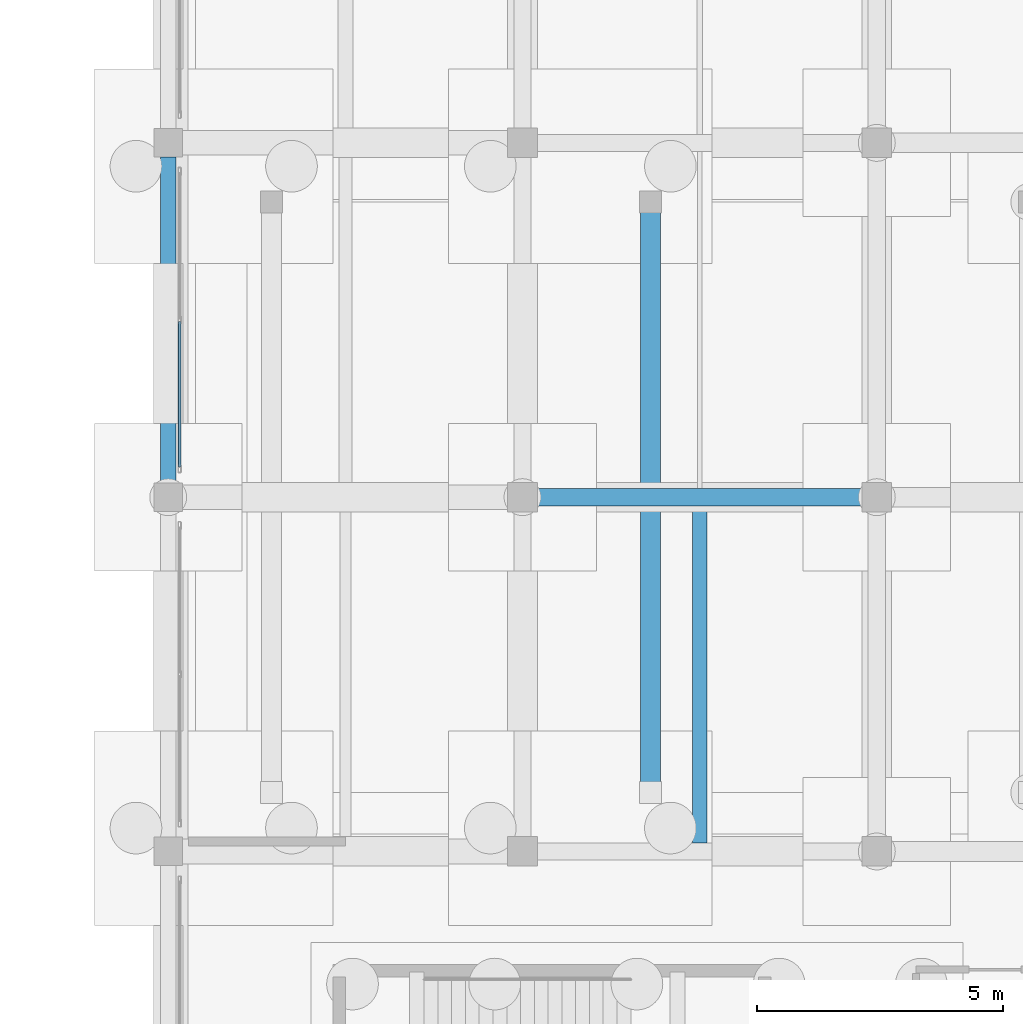
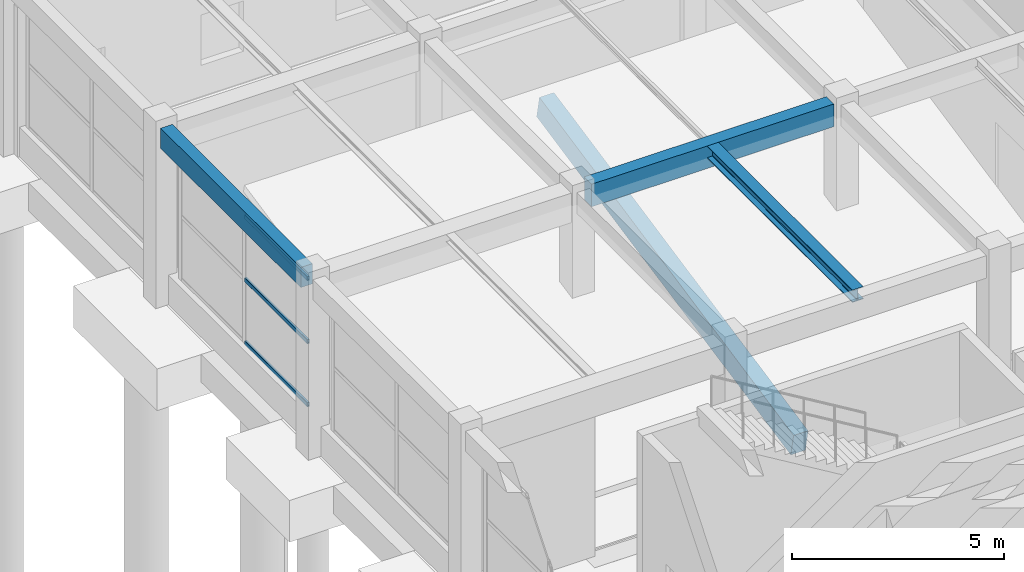
# One storey, part 51 of 91: 4 beams, 3 members, 1 element without a shape of its own.
"""IFC4 building model written with IfcOpenShell, lengths in metres."""

from ifc_helpers import new_model, si_unit, direction, frame, origin, origin_2d, place, context, subcontext, project, spatial, rectangle, hollow_rectangle, i_section, extrude, material, material_profile, profile_set, type_object, element, aggregate, save


model = new_model("IFC4")

# Units and contexts
model_context = context("Model", 3, precision=1e-05, world=origin(), true_north=direction((0.0, 1.0)))
body_context = subcontext(model_context, "Body", "Model", "MODEL_VIEW")
ifc_project = project(units=[si_unit("LENGTHUNIT", "METRE"), si_unit("AREAUNIT", "SQUARE_METRE"), si_unit("VOLUMEUNIT", "CUBIC_METRE"), si_unit("PLANEANGLEUNIT", "RADIAN"), si_unit("MASSUNIT", "GRAM", prefix="KILO")], contexts=[model_context])

# Site, building, storey
site_placement = place(None, origin())
site = spatial("IfcSite", under=ifc_project, at=site_placement, CompositionType="ELEMENT")
building_placement = place(site_placement, origin())
building = spatial("IfcBuilding", under=site, at=building_placement, Name="Bramveld Media Centre", CompositionType="ELEMENT")
storey_placement = place(building_placement, origin())
storey = spatial("IfcBuildingStorey", under=building, at=storey_placement, Name="L00", CompositionType="ELEMENT", Elevation=0.0)

# Beams
ifc_material_1 = material(Name="Concrete C40/50", Category="concrete")
ifc_material_profile_1 = material_profile(ifc_material_1, rectangle(XDim=0.35009765625, YDim=0.64990234375, at=origin_2d()), Name="RC 350x650")
ifc_profile_set_1 = profile_set([ifc_material_profile_1], Name="Concrete C40/50")
beam_type_1 = type_object("IfcBeamType", Name="BM-INT-RC-350x650", PredefinedType="BEAM", material=ifc_profile_set_1)
beam_1_placement = place(storey_placement, frame((138.699951171875, 53.60009765625, 4.8349609375), z_axis=(1.0, 0.0, 0.0), x_axis=(0.0, 1.0, 0.0)))
element("IfcBeam", 1, at=beam_1_placement, inside=storey, type_object=beam_type_1, Name="V4 L00 girder X-463", PredefinedType="BEAM", context=body_context, shape_type="SweptSolid", body=[
    extrude(rectangle(XDim=0.35009765625, YDim=0.64990234375, at=origin_2d()), origin(), (0.0, 0.0, 1.0), 6.60009765625),
])
ifc_material_2 = material(Name="Concrete C40/50", Category="concrete")
ifc_material_profile_2 = material_profile(ifc_material_2, rectangle(XDim=0.39990234375, YDim=0.64990234375, at=origin_2d()), Name="RC 400x650")
ifc_profile_set_2 = profile_set([ifc_material_profile_2], Name="Concrete C40/50")
beam_type_2 = type_object("IfcBeamType", Name="BM-INT-RC-400x650", PredefinedType="BEAM", material=ifc_profile_set_2)
beam_2_placement = place(storey_placement, frame((141.0, 47.60009765625, 0.43505859375), z_axis=(0.0, 0.979466997448, 0.201604565698), x_axis=(-1.0, 0.0, 0.0)))
element("IfcBeam", 2, at=beam_2_placement, inside=storey, type_object=beam_type_2, Name="Screen 7 Raked Seating Slab raker beam 2", PredefinedType="BEAM", context=body_context, shape_type="SweptSolid", body=[
    extrude(rectangle(XDim=0.39990234375, YDim=0.64990234375, at=origin_2d()), origin(), (0.0, 0.0, 1.0), 12.25146484375),
])

# Curtain wall, members
ifc_material_3 = material(Name="Thermally broken anodized bronze aluminium unitized curtain wall with solar-control triple glazing", Category="aluminium")
curtain_wall_type = type_object("IfcCurtainWallType", Name="CW-FACV4-6100x3690", PredefinedType="NOTDEFINED", material=ifc_material_3)
curtain_wall_placement = place(storey_placement, origin())
curtain_wall = element("IfcCurtainWall", 3, at=curtain_wall_placement, inside=storey, type_object=curtain_wall_type, Name="V4 L00 W curtain wall bay 3", PredefinedType="NOTDEFINED")
ifc_material_4 = material(Name="Thermally broken anodized bronze aluminium EN AW-6063 T6 curtain-wall framing", Category="aluminium")
ifc_material_profile_3 = material_profile(ifc_material_4, hollow_rectangle(XDim=0.06005859375, YDim=0.1201171875, WallThickness=0.00341796875, InnerFilletRadius=0.00341796875, OuterFilletRadius=0.007080078125, at=origin_2d()), Name="AL-TRAN 60x120")
ifc_profile_set_3 = profile_set([ifc_material_profile_3], Name="Thermally broken anodized bronze aluminium EN AW-6063 T6 curtain-wall framing")
member_type = type_object("IfcMemberType", Name="CW-TRAN-EXT", PredefinedType="USERDEFINED", material=ifc_profile_set_3)
member_1_placement = place(storey_placement, frame((131.429931640625, 54.2099609375, 0.8798828125), z_axis=(0.0, 1.0, 0.0), x_axis=(-1.0, 0.0, 0.0)))
member_1 = element("IfcMember", 4, at=member_1_placement, type_object=member_type, Name="CW-FA-6136 transom 1.1", ObjectType="TRANSOM", PredefinedType="USERDEFINED", context=body_context, shape_type="SweptSolid", body=[
    extrude(hollow_rectangle(XDim=0.06005859375, YDim=0.1201171875, WallThickness=0.00341796875, InnerFilletRadius=0.00341796875, OuterFilletRadius=0.007080078125, at=origin_2d()), origin(), (0.0, 0.0, 1.0), 2.9599609375),
])
member_2_placement = place(storey_placement, frame((131.429931640625, 54.2099609375, 2.695068359375), z_axis=(0.0, 1.0, 0.0), x_axis=(-1.0, 0.0, 0.0)))
member_2 = element("IfcMember", 5, at=member_2_placement, type_object=member_type, Name="CW-FA-6136 transom 1.2", ObjectType="TRANSOM", PredefinedType="USERDEFINED", context=body_context, shape_type="SweptSolid", body=[
    extrude(hollow_rectangle(XDim=0.06005859375, YDim=0.1201171875, WallThickness=0.00341796875, InnerFilletRadius=0.00341796875, OuterFilletRadius=0.007080078125, at=origin_2d()), origin(), (0.0, 0.0, 1.0), 2.9599609375),
])
member_3_placement = place(storey_placement, frame((131.429931640625, 54.2099609375, 4.510009765625), z_axis=(0.0, 1.0, 0.0), x_axis=(-1.0, 0.0, 0.0)))
member_3 = element("IfcMember", 6, at=member_3_placement, type_object=member_type, Name="CW-FA-6136 transom 1.3", ObjectType="TRANSOM", PredefinedType="USERDEFINED", context=body_context, shape_type="SweptSolid", body=[
    extrude(hollow_rectangle(XDim=0.06005859375, YDim=0.1201171875, WallThickness=0.00341796875, InnerFilletRadius=0.00341796875, OuterFilletRadius=0.007080078125, at=origin_2d()), origin(), (0.0, 0.0, 1.0), 2.9599609375),
])
aggregate(curtain_wall, [member_1, member_2, member_3])

# Beams
ifc_material_5 = material(Name="Steel S355J2", Category="steel")
ifc_material_profile_4 = material_profile(ifc_material_5, i_section(OverallWidth=0.300048828125, OverallDepth=0.360107421875, WebThickness=0.012451171875, FlangeThickness=0.0224609375, FilletRadius=0.027099609375, at=origin_2d()), Name="HEB 360")
ifc_profile_set_4 = profile_set([ifc_material_profile_4], Name="Steel S355J2")
beam_type_3 = type_object("IfcBeamType", Name="SBM-INT-HEB-360", PredefinedType="BEAM", material=ifc_profile_set_4)
beam_3_placement = place(storey_placement, frame((142.0, 46.574951171875, 4.97998046875), z_axis=(0.0, 1.0, 0.0), x_axis=(-1.0, 0.0, 0.0)))
element("IfcBeam", 7, at=beam_3_placement, inside=storey, type_object=beam_type_3, Name="V4 L00 secondary floor joist 502", PredefinedType="BEAM", context=body_context, shape_type="SweptSolid", body=[
    extrude(i_section(OverallWidth=0.300048828125, OverallDepth=0.360107421875, WebThickness=0.012451171875, FlangeThickness=0.0224609375, FilletRadius=0.027099609375, at=origin_2d()), origin(), (0.0, 0.0, 1.0), 6.85009765625),
])
ifc_material_6 = material(Name="Concrete C40/50", Category="concrete")
ifc_material_profile_5 = material_profile(ifc_material_6, rectangle(XDim=0.320068359375, YDim=0.580078125, at=origin_2d()), Name="RC 320x580")
ifc_profile_set_5 = profile_set([ifc_material_profile_5], Name="Concrete C40/50")
beam_type_4 = type_object("IfcBeamType", Name="SPANDREL-EXT-RC-320x580", PredefinedType="SPANDREL", material=ifc_profile_set_5)
beam_4_placement = place(storey_placement, frame((131.199951171875, 53.889892578125, 4.8701171875), z_axis=(0.0, 1.0, 0.0), x_axis=(-1.0, 0.0, 0.0)))
element("IfcBeam", 8, at=beam_4_placement, inside=storey, type_object=beam_type_4, Name="V4 L00 girder Y-479", PredefinedType="SPANDREL", context=body_context, shape_type="SweptSolid", body=[
    extrude(rectangle(XDim=0.320068359375, YDim=0.580078125, at=origin_2d()), origin(), (0.0, 0.0, 1.0), 6.6201171875),
])

save(model, "model.ifc")
